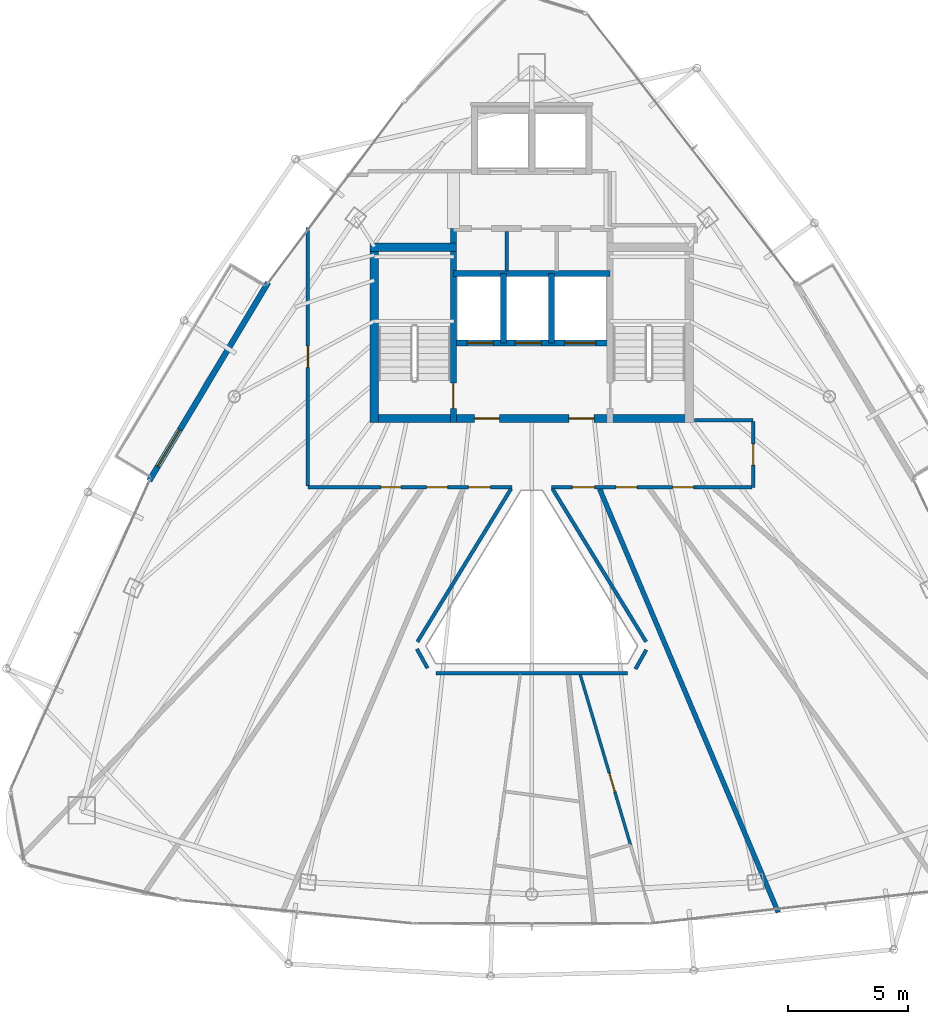
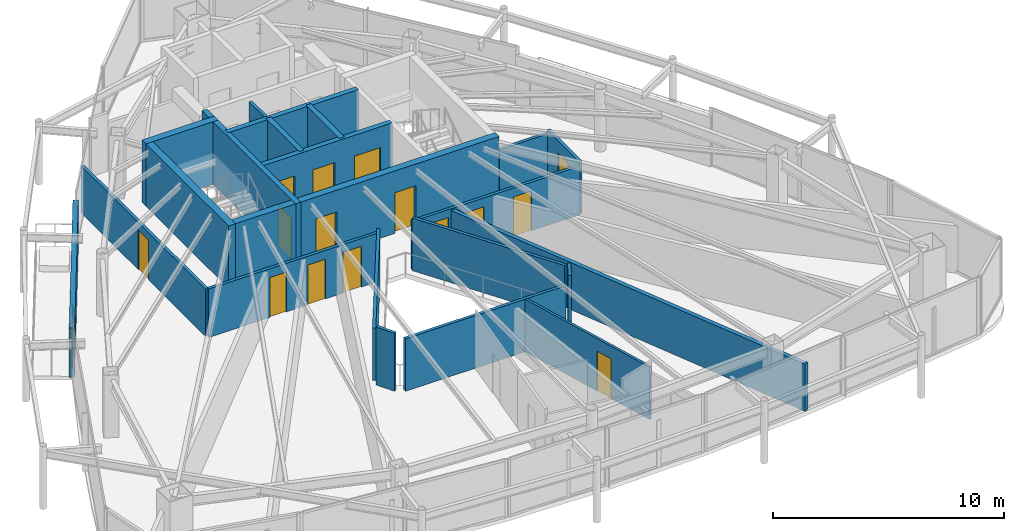
# One storey, part 25 of 28: 22 walls, 16 doors, 16 openings.
"""IFC4 building model written with IfcOpenShell, lengths in metres."""

import ifcopenshell
import ifcopenshell.guid

model = None  # the IFC model being written
_history = None  # IfcOwnerHistory: only IFC2X3 demands one
_inside = {}  # id of a spatial element -> (the spatial element, [elements in it])
_under = {}  # id of a project, library or spatial element -> (it, [spatial elements below it])
_declared = {}  # id of a project -> (the project, [libraries it declares])
_typed = {}  # id of a type object -> (the type object, [elements of that type])
_made_of = {}  # id of a material, layer set ... -> (it, [elements and type objects made of it])


def new_model(schema):
    """Start an empty IFC model of exactly this schema.

    Asked for "IFC4X3", IfcOpenShell would pick the latest addendum, in which some entities
    have other attributes; the version numbers below select the first issue.
    IFC2X3 requires an IfcOwnerHistory on every rooted entity: one is made here for all.
    """
    global model, _history
    if schema == "IFC4X3":
        model = ifcopenshell.file(schema_version=(4, 3, 0, 0))
    else:
        model = ifcopenshell.file(schema=schema)
    _inside.clear()
    _under.clear()
    _declared.clear()
    _typed.clear()
    _made_of.clear()
    _history = None
    if model.schema == "IFC2X3":
        org = make("IfcOrganization", Name="unknown")
        user = make(
            "IfcPersonAndOrganization",
            ThePerson=make("IfcPerson", FamilyName="unknown"),
            TheOrganization=org,
        )
        app = make(
            "IfcApplication",
            ApplicationDeveloper=org,
            Version="unknown",
            ApplicationFullName="unknown",
            ApplicationIdentifier="unknown",
        )
        _history = make(
            "IfcOwnerHistory",
            OwningUser=user,
            OwningApplication=app,
            ChangeAction="ADDED",
            CreationDate=0,
        )
    return model


def make(cls, **values):
    """One entity of the class cls with the attributes given. An attribute that is None is left unset."""
    return model.create_entity(
        cls, **{name: value for name, value in values.items() if value is not None}
    )


def rooted(cls, **values):
    """An entity with a GlobalId (a new one), such as an element, a storey or a relation."""
    return make(cls, GlobalId=ifcopenshell.guid.new(), OwnerHistory=_history, **values)


def si_unit(unit_type, name, prefix=None):
    """IfcSIUnit, for example si_unit("LENGTHUNIT", "METRE", prefix="MILLI")."""
    return make("IfcSIUnit", UnitType=unit_type, Prefix=prefix, Name=name)


def assignment(units):
    """IfcUnitAssignment: the units of a project."""
    return None if units is None else make("IfcUnitAssignment", Units=units)


def point(xyz):
    """IfcCartesianPoint."""
    return None if xyz is None else make("IfcCartesianPoint", Coordinates=xyz)


def direction(xyz):
    """IfcDirection."""
    return None if xyz is None else make("IfcDirection", DirectionRatios=xyz)


def frame(location, z_axis=None, x_axis=None):
    """IfcAxis2Placement3D, a coordinate frame: its origin and axes. An axis left out is left unset."""
    return make(
        "IfcAxis2Placement3D",
        Location=point(location),
        Axis=direction(z_axis),
        RefDirection=direction(x_axis),
    )


def frame_2d(location, x_axis=None):
    """IfcAxis2Placement2D, a coordinate frame in the plane: its origin and x axis."""
    return make(
        "IfcAxis2Placement2D", Location=point(location), RefDirection=direction(x_axis)
    )


def origin():
    """The frame at (0, 0, 0) with its axes left unset."""
    return frame((0.0, 0.0, 0.0))


def place(relative_to, where):
    """IfcLocalPlacement: puts the frame where relative to a parent placement (None: the world)."""
    return make(
        "IfcLocalPlacement", PlacementRelTo=relative_to, RelativePlacement=where
    )


def context(
    kind, dimensions, precision=None, world=None, true_north=None, identifier=None
):
    """IfcGeometricRepresentationContext, for example the 3D "Model" context."""
    return make(
        "IfcGeometricRepresentationContext",
        ContextIdentifier=identifier,
        ContextType=kind,
        CoordinateSpaceDimension=dimensions,
        Precision=precision,
        WorldCoordinateSystem=world,
        TrueNorth=true_north,
    )


def subcontext(parent, identifier, kind, view, scale=None):
    """IfcGeometricRepresentationSubContext, for example "Body" below "Model"."""
    return make(
        "IfcGeometricRepresentationSubContext",
        ContextIdentifier=identifier,
        ContextType=kind,
        ParentContext=parent,
        TargetScale=scale,
        TargetView=view,
    )


def project(units=None, contexts=None):
    """IfcProject with its units and contexts."""
    return rooted(
        "IfcProject",
        Name="project",
        RepresentationContexts=contexts,
        UnitsInContext=assignment(units),
    )


def spatial(cls, under=None, at=None, **own):
    """A site, building, storey or space (cls), placed at a placement, below another one or the project."""
    s = rooted(cls, ObjectPlacement=at, **own)
    if under is not None:
        _under.setdefault(under.id(), (under, []))[1].append(s)
    return s


def profile(cls, at=None, kind="AREA", **sizes):
    """A parametric profile (cls). Its sizes go by their IFC names, for example OverallWidth=200.0."""
    return make(cls, ProfileType=kind, Position=at, **sizes)


def rectangle(**sizes):
    """IfcRectangleProfileDef."""
    return profile("IfcRectangleProfileDef", **sizes)


def extrude(swept, where, along, depth):
    """IfcExtrudedAreaSolid: the profile swept, set in the frame where, extruded along a direction by depth."""
    return make(
        "IfcExtrudedAreaSolid",
        SweptArea=swept,
        Position=where,
        ExtrudedDirection=direction(along),
        Depth=depth,
    )


def shape(context_of_items, identifier, shape_type, items):
    """IfcShapeRepresentation: the items that make up one representation, for example the "Body"."""
    return make(
        "IfcShapeRepresentation",
        ContextOfItems=context_of_items,
        RepresentationIdentifier=identifier,
        RepresentationType=shape_type,
        Items=items,
    )


def material(Name=None, Category=None):
    """IfcMaterial."""
    return make("IfcMaterial", Name=Name, Category=Category)


def layer(
    of_material, thickness, ventilated=None, Name=None, Category=None, Priority=None
):
    """IfcMaterialLayer: one layer of a wall or slab, of a material (None: an air gap)."""
    return make(
        "IfcMaterialLayer",
        Material=of_material,
        LayerThickness=thickness,
        IsVentilated=ventilated,
        Name=Name,
        Category=Category,
        Priority=Priority,
    )


def layer_set(layers, Name=None):
    """IfcMaterialLayerSet."""
    return make("IfcMaterialLayerSet", MaterialLayers=layers, LayerSetName=Name)


def made_of(thing, what):
    """Note that an element or type object is made of a material, layer set ...; save() writes the relation."""
    if what is not None:
        _made_of.setdefault(what.id(), (what, []))[1].append(thing)
    return thing


def type_object(cls, material=None, **own):
    """A type object (cls), such as IfcWallType, which elements share."""
    return made_of(rooted(cls, **own), material)


def element(
    cls,
    number,
    at=None,
    inside=None,
    cuts=None,
    type_object=None,
    material=None,
    context=None,
    identifier="Body",
    shape_type=None,
    held_by="IfcProductDefinitionShape",
    body=None,
    shapes=None,
    **own,
):
    """One element of the class cls, such as IfcWall. Its Tag is "e" and its number.

    at: its placement. inside: the storey or other place that contains it. cuts: it is an
    opening in that element (IfcRelVoidsElement). A single representation is given by context,
    identifier, shape_type and body (its items); several are given by shapes. held_by: the class
    of the entity that holds the representations. save() writes the other relations.
    """
    e = rooted(cls, Tag="e%d" % number, ObjectPlacement=at, **own)
    if body is not None:
        shapes = [shape(context, identifier, shape_type, body)]
    if shapes is not None:
        e.Representation = make(held_by, Representations=shapes)
    if inside is not None:
        _inside.setdefault(inside.id(), (inside, []))[1].append(e)
    if cuts is not None:
        rooted(
            "IfcRelVoidsElement", RelatingBuildingElement=cuts, RelatedOpeningElement=e
        )
    if type_object is not None:
        _typed.setdefault(type_object.id(), (type_object, []))[1].append(e)
    return made_of(e, material)


def fill(opening, filler):
    """IfcRelFillsElement: the door or window that sits in an opening."""
    return rooted(
        "IfcRelFillsElement",
        RelatingOpeningElement=opening,
        RelatedBuildingElement=filler,
    )


def aggregate(whole, parts):
    """IfcRelAggregates: a whole, such as a stair, and the parts it consists of."""
    return rooted("IfcRelAggregates", RelatingObject=whole, RelatedObjects=parts)


def save(model, path):
    """Write the relations noted so far, then the file.

    IfcRelAggregates (storeys below a building ...), IfcRelContainedInSpatialStructure (elements
    in a storey), IfcRelDefinesByType, IfcRelAssociatesMaterial and IfcRelDeclares: one each for
    every whole, place, type object, material and project.
    """
    for whole, parts in _under.values():
        aggregate(whole, parts)
    for where, things in _inside.values():
        rooted(
            "IfcRelContainedInSpatialStructure",
            RelatedElements=things,
            RelatingStructure=where,
        )
    for kind, things in _typed.values():
        rooted("IfcRelDefinesByType", RelatedObjects=things, RelatingType=kind)
    for what, things in _made_of.values():
        rooted("IfcRelAssociatesMaterial", RelatedObjects=things, RelatingMaterial=what)
    for by, libraries in _declared.values():
        rooted("IfcRelDeclares", RelatingContext=by, RelatedDefinitions=libraries)
    model.write(path)


model = new_model("IFC4")

# Units and contexts
model_context = context("Model", 3, precision=1e-05, world=origin(), true_north=direction((0.0, 1.0)))
body_context = subcontext(model_context, "Body", "Model", "MODEL_VIEW")
ifc_project = project(units=[si_unit("LENGTHUNIT", "METRE"), si_unit("AREAUNIT", "SQUARE_METRE"), si_unit("VOLUMEUNIT", "CUBIC_METRE"), si_unit("PLANEANGLEUNIT", "RADIAN"), si_unit("MASSUNIT", "GRAM", prefix="KILO")], contexts=[model_context])

# Site, building, storey
site_placement = place(None, origin())
site = spatial("IfcSite", under=ifc_project, at=site_placement, CompositionType="ELEMENT")
building_placement = place(site_placement, origin())
building = spatial("IfcBuilding", under=site, at=building_placement, Name="Orvanel Arch Residences", CompositionType="ELEMENT")
storey_placement = place(building_placement, frame((0.0, 0.0, 263.449951171875)))
storey = spatial("IfcBuildingStorey", under=building, at=storey_placement, Name="L75", CompositionType="ELEMENT", Elevation=263.449951171875)

# Wall, opening, door
ifc_material_1 = material(Name="Precast concrete N50 (50 MPa)", Category="concrete")
ifc_layer_1 = layer(ifc_material_1, 0.239990234375)
ifc_layer_set_1 = layer_set([ifc_layer_1], Name="Precast concrete N50 (50 MPa)")
wall_type_1 = type_object("IfcWallType", Name="EW-BAL-240", PredefinedType="SOLIDWALL", material=ifc_layer_set_1)
wall_1_placement = place(storey_placement, frame((21.988037109375, 32.405029296875, 0.0), z_axis=(0.0, 0.0, 1.0), x_axis=(-0.514361929684, -0.857573206958, 0.0)))
wall_1 = element("IfcWall", 1, at=wall_1_placement, inside=storey, type_object=wall_type_1, Name="L75 Balcony Threshold Wall Face 1", PredefinedType="SOLIDWALL", context=body_context, shape_type="SweptSolid", body=[
    extrude(rectangle(XDim=9.65869140625, YDim=0.239990234375, at=frame_2d((4.829345703125, 0.0))), origin(), (0.0, 0.0, 1.0), 2.6240234375),
])
opening_1_placement = place(wall_1_placement, frame((7.162109375, 0.0, 0.0)))
opening_1 = element("IfcOpeningElement", 2, at=opening_1_placement, cuts=wall_1, Name="Opening DB-180", PredefinedType="OPENING", context=body_context, shape_type="SweptSolid", body=[
    extrude(rectangle(XDim=1.800048828125, YDim=2.199951171875, at=frame_2d((0.89990234375, 1.10009765625))), frame((0.0, 0.1298828125, 0.0), z_axis=(0.0, -1.0, 0.0), x_axis=(1.0, 0.0, 0.0)), (0.0, 0.0, 1.0), 0.260009765625),
])
ifc_material_2 = material(Name="Bronze-anodised aluminium AA6063-T6", Category="aluminium")
door_type_1 = type_object("IfcDoorType", Name="DR-BAL-1800", OperationType="NOTDEFINED", PredefinedType="DOOR", material=ifc_material_2)
door_1_placement = place(opening_1_placement, origin())
door_1 = element("IfcDoor", 3, at=door_1_placement, inside=storey, type_object=door_type_1, Name="DR-L75-BAL-F1 L75 Planted Balcony Access Door Face 1", OperationType="SINGLE_SWING_LEFT", OverallHeight=2.199951171875, OverallWidth=1.800048828125, PredefinedType="DOOR", context=body_context, shape_type="SweptSolid", body=[
    extrude(rectangle(XDim=1.800048828125, YDim=2.199951171875, at=frame_2d((0.89990234375, 1.10009765625))), frame((0.0, 0.02490234375, 0.0), z_axis=(0.0, -1.0, 0.0), x_axis=(1.0, 0.0, 0.0)), (0.0, 0.0, 1.0), 0.050048828125),
])
fill(opening_1, door_1)

ifc_material_3 = material(Name="Concrete N50 (50 MPa)", Category="concrete")
ifc_layer_2 = layer(ifc_material_3, 0.25)
ifc_layer_set_2 = layer_set([ifc_layer_2], Name="Concrete N50 (50 MPa)")
wall_type_2 = type_object("IfcWallType", Name="SW-CORE-250", PredefinedType="SHEAR", material=ifc_layer_set_2)
wall_2_placement = place(storey_placement, frame((29.72509765625, 26.550048828125, 0.0), z_axis=(0.0, 0.0, 1.0), x_axis=(0.0, 1.0, 0.0)))
wall_2 = element("IfcWall", 4, at=wall_2_placement, inside=storey, type_object=wall_type_2, Name="L75 West Inner Core Spine Shear Wall", PredefinedType="SHEAR", context=body_context, shape_type="SweptSolid", body=[
    extrude(rectangle(XDim=8.099853515625, YDim=0.25, at=frame_2d((4.0498046875, 0.0))), origin(), (0.0, 0.0, 1.0), 3.300048828125),
])
opening_2_placement = place(wall_2_placement, frame((0.60009765625, 0.0, 0.0)))
opening_2 = element("IfcOpeningElement", 5, at=opening_2_placement, cuts=wall_2, Name="Opening DF-120", PredefinedType="OPENING", context=body_context, shape_type="SweptSolid", body=[
    extrude(rectangle(XDim=1.050048828125, YDim=2.14990234375, at=frame_2d((0.52490234375, 1.074951171875))), frame((0.0, 0.135009765625, 0.0), z_axis=(0.0, -1.0, 0.0), x_axis=(1.0, 0.0, 0.0)), (0.0, 0.0, 1.0), 0.27001953125),
])
ifc_material_4 = material(Name="Galvanised steel fire-resisting door assembly", Category="steel")
door_type_2 = type_object("IfcDoorType", Name="DR-FD120-1050", OperationType="NOTDEFINED", PredefinedType="DOOR", material=ifc_material_4)
door_2_placement = place(opening_2_placement, origin())
door_2 = element("IfcDoor", 6, at=door_2_placement, inside=storey, type_object=door_type_2, Name="DR-L75-ST1 L75 Stair 1 Fire Door", OperationType="SINGLE_SWING_LEFT", OverallHeight=2.14990234375, OverallWidth=1.050048828125, PredefinedType="DOOR", context=body_context, shape_type="SweptSolid", body=[
    extrude(rectangle(XDim=1.050048828125, YDim=2.14990234375, at=frame_2d((0.52490234375, 1.074951171875))), frame((0.0, 0.02490234375, 0.0), z_axis=(0.0, -1.0, 0.0), x_axis=(1.0, 0.0, 0.0)), (0.0, 0.0, 1.0), 0.050048828125),
])
fill(opening_2, door_2)

# Wall, openings, doors
wall_3_placement = place(storey_placement, frame((36.27490234375, 29.875, 0.0), z_axis=(0.0, 0.0, 1.0), x_axis=(-1.0, 0.0, 0.0)))
wall_3 = element("IfcWall", 7, at=wall_3_placement, inside=storey, type_object=wall_type_2, Name="L75 Emergency Lift Front Core Shear Wall", PredefinedType="SHEAR", context=body_context, shape_type="SweptSolid", body=[
    extrude(rectangle(XDim=6.5498046875, YDim=0.25, at=frame_2d((3.27490234375, 0.0))), origin(), (0.0, 0.0, 1.0), 3.300048828125),
])
opening_3_placement = place(wall_3_placement, frame((4.875, 0.0, 0.0)))
opening_3 = element("IfcOpeningElement", 8, at=opening_3_placement, cuts=wall_3, Name="Opening LD-110", PredefinedType="OPENING", context=body_context, shape_type="SweptSolid", body=[
    extrude(rectangle(XDim=1.10009765625, YDim=2.199951171875, at=frame_2d((0.550048828125, 1.10009765625))), frame((0.0, 0.135009765625, 0.0), z_axis=(0.0, -1.0, 0.0), x_axis=(1.0, 0.0, 0.0)), (0.0, 0.0, 1.0), 0.27001953125),
])
opening_4_placement = place(wall_3_placement, frame((2.875, 0.0, 0.0)))
opening_4 = element("IfcOpeningElement", 9, at=opening_4_placement, cuts=wall_3, Name="Opening LD-110", PredefinedType="OPENING", context=body_context, shape_type="SweptSolid", body=[
    extrude(rectangle(XDim=1.10009765625, YDim=2.199951171875, at=frame_2d((0.550048828125, 1.10009765625))), frame((0.0, 0.135009765625, 0.0), z_axis=(0.0, -1.0, 0.0), x_axis=(1.0, 0.0, 0.0)), (0.0, 0.0, 1.0), 0.27001953125),
])
opening_5_placement = place(wall_3_placement, frame((0.60009765625, 0.0, 0.0)))
opening_5 = element("IfcOpeningElement", 10, at=opening_5_placement, cuts=wall_3, Name="Opening LD-130", PredefinedType="OPENING", context=body_context, shape_type="SweptSolid", body=[
    extrude(rectangle(XDim=1.300048828125, YDim=2.199951171875, at=frame_2d((0.64990234375, 1.10009765625))), frame((0.0, 0.135009765625, 0.0), z_axis=(0.0, -1.0, 0.0), x_axis=(1.0, 0.0, 0.0)), (0.0, 0.0, 1.0), 0.27001953125),
])
door_type_3 = type_object("IfcDoorType", Name="DR-LFT-1100", OperationType="NOTDEFINED", PredefinedType="DOOR", material=ifc_material_4)
door_3_placement = place(opening_3_placement, origin())
door_3 = element("IfcDoor", 11, at=door_3_placement, inside=storey, type_object=door_type_3, Name="LD-F1-L75 L75 Lift F1 Sliding Landing Door", OperationType="DOUBLE_DOOR_SLIDING", OverallHeight=2.199951171875, OverallWidth=1.10009765625, PredefinedType="DOOR", context=body_context, shape_type="SweptSolid", body=[
    extrude(rectangle(XDim=1.10009765625, YDim=2.199951171875, at=frame_2d((0.550048828125, 1.10009765625))), frame((0.0, 0.02490234375, 0.0), z_axis=(0.0, -1.0, 0.0), x_axis=(1.0, 0.0, 0.0)), (0.0, 0.0, 1.0), 0.050048828125),
])
fill(opening_3, door_3)
door_4_placement = place(opening_4_placement, origin())
door_4 = element("IfcDoor", 12, at=door_4_placement, inside=storey, type_object=door_type_3, Name="LD-F2-L75 L75 Lift F2 Sliding Landing Door", OperationType="DOUBLE_DOOR_SLIDING", OverallHeight=2.199951171875, OverallWidth=1.10009765625, PredefinedType="DOOR", context=body_context, shape_type="SweptSolid", body=[
    extrude(rectangle(XDim=1.10009765625, YDim=2.199951171875, at=frame_2d((0.550048828125, 1.10009765625))), frame((0.0, 0.02490234375, 0.0), z_axis=(0.0, -1.0, 0.0), x_axis=(1.0, 0.0, 0.0)), (0.0, 0.0, 1.0), 0.050048828125),
])
fill(opening_4, door_4)
door_type_4 = type_object("IfcDoorType", Name="DR-LFT-1300", OperationType="NOTDEFINED", PredefinedType="DOOR", material=ifc_material_4)
door_5_placement = place(opening_5_placement, origin())
door_5 = element("IfcDoor", 13, at=door_5_placement, inside=storey, type_object=door_type_4, Name="LD-G1-L75 L75 Lift G1 Sliding Landing Door", OperationType="DOUBLE_DOOR_SLIDING", OverallHeight=2.199951171875, OverallWidth=1.300048828125, PredefinedType="DOOR", context=body_context, shape_type="SweptSolid", body=[
    extrude(rectangle(XDim=1.300048828125, YDim=2.199951171875, at=frame_2d((0.64990234375, 1.10009765625))), frame((0.0, 0.02490234375, 0.0), z_axis=(0.0, -1.0, 0.0), x_axis=(1.0, 0.0, 0.0)), (0.0, 0.0, 1.0), 0.050048828125),
])
fill(opening_5, door_5)

# Walls
wall_4_placement = place(storey_placement, frame((29.72509765625, 32.77490234375, 0.0), z_axis=(0.0, 0.0, 1.0), x_axis=(1.0, 0.0, 0.0)))
element("IfcWall", 14, at=wall_4_placement, inside=storey, type_object=wall_type_2, Name="L75 Emergency Lift Back Core Shear Wall", PredefinedType="SHEAR", context=body_context, shape_type="SweptSolid", body=[
    extrude(rectangle(XDim=6.5498046875, YDim=0.25, at=frame_2d((3.27490234375, 0.0))), origin(), (0.0, 0.0, 1.0), 3.300048828125),
])
for number, where, z_axis, x_axis, name in (
    (15, (31.824951171875, 29.875, 0.0), (0.0, 0.0, 1.0), (0.0, 1.0, 0.0), "L75 Emergency Lift Inter-Shaft Wall F12"),
    (16, (33.824951171875, 29.875, 0.0), (0.0, 0.0, 1.0), (0.0, 1.0, 0.0), "L75 Emergency Lift Inter-Shaft Wall F2G"),
):
    element("IfcWall", number, at=place(storey_placement, frame(where, z_axis=z_axis, x_axis=x_axis)), inside=storey, type_object=wall_type_2, Name=name, PredefinedType="SHEAR", context=body_context, shape_type="SweptSolid", body=[
        extrude(rectangle(XDim=2.89990234375, YDim=0.25, at=frame_2d((1.449951171875, 0.0))), origin(), (0.0, 0.0, 1.0), 3.300048828125),
    ])

# Wall, openings, doors
ifc_layer_3 = layer(ifc_material_3, 0.35009765625)
ifc_layer_set_3 = layer_set([ifc_layer_3], Name="Concrete N50 (50 MPa)")
wall_type_3 = type_object("IfcWallType", Name="SW-CORE-350", PredefinedType="SHEAR", material=ifc_layer_set_3)
wall_5_placement = place(storey_placement, frame((26.25, 26.72509765625, 0.0), z_axis=(0.0, 0.0, 1.0), x_axis=(1.0, 0.0, 0.0)))
wall_5 = element("IfcWall", 17, at=wall_5_placement, inside=storey, type_object=wall_type_3, Name="L75 South Core Shear Wall", PredefinedType="SHEAR", context=body_context, shape_type="SweptSolid", body=[
    extrude(rectangle(XDim=13.5, YDim=0.35009765625, at=frame_2d((6.75, 0.0))), origin(), (0.0, 0.0, 1.0), 3.300048828125),
])
opening_6_placement = place(wall_5_placement, frame((4.35009765625, 0.0, 0.0)))
opening_6 = element("IfcOpeningElement", 18, at=opening_6_placement, cuts=wall_5, Name="Opening DF-060", PredefinedType="OPENING", context=body_context, shape_type="SweptSolid", body=[
    extrude(rectangle(XDim=1.050048828125, YDim=2.14990234375, at=frame_2d((0.52490234375, 1.074951171875))), frame((0.0, 0.18505859375, 0.0), z_axis=(0.0, -1.0, 0.0), x_axis=(1.0, 0.0, 0.0)), (0.0, 0.0, 1.0), 0.3701171875),
])
opening_7_placement = place(wall_5_placement, frame((8.300048828125, 0.0, 0.0)))
opening_7 = element("IfcOpeningElement", 19, at=opening_7_placement, cuts=wall_5, Name="Opening DF-060", PredefinedType="OPENING", context=body_context, shape_type="SweptSolid", body=[
    extrude(rectangle(XDim=1.050048828125, YDim=2.14990234375, at=frame_2d((0.52490234375, 1.074951171875))), frame((0.0, 0.18505859375, 0.0), z_axis=(0.0, -1.0, 0.0), x_axis=(1.0, 0.0, 0.0)), (0.0, 0.0, 1.0), 0.3701171875),
])
door_type_5 = type_object("IfcDoorType", Name="DR-FD60-1050", OperationType="NOTDEFINED", PredefinedType="DOOR", material=ifc_material_4)
door_6_placement = place(opening_6_placement, origin())
door_6 = element("IfcDoor", 20, at=door_6_placement, inside=storey, type_object=door_type_5, Name="DR-L75-FFL-W L75 West Smoke Lobby Door", OperationType="SINGLE_SWING_LEFT", OverallHeight=2.14990234375, OverallWidth=1.050048828125, PredefinedType="DOOR", context=body_context, shape_type="SweptSolid", body=[
    extrude(rectangle(XDim=1.050048828125, YDim=2.14990234375, at=frame_2d((0.52490234375, 1.074951171875))), frame((0.0, 0.02490234375, 0.0), z_axis=(0.0, -1.0, 0.0), x_axis=(1.0, 0.0, 0.0)), (0.0, 0.0, 1.0), 0.050048828125),
])
fill(opening_6, door_6)
door_7_placement = place(opening_7_placement, origin())
door_7 = element("IfcDoor", 21, at=door_7_placement, inside=storey, type_object=door_type_5, Name="DR-L75-FFL-E L75 East Smoke Lobby Door", OperationType="SINGLE_SWING_RIGHT", OverallHeight=2.14990234375, OverallWidth=1.050048828125, PredefinedType="DOOR", context=body_context, shape_type="SweptSolid", body=[
    extrude(rectangle(XDim=1.050048828125, YDim=2.14990234375, at=frame_2d((0.52490234375, 1.074951171875))), frame((0.0, 0.02490234375, 0.0), z_axis=(0.0, -1.0, 0.0), x_axis=(1.0, 0.0, 0.0)), (0.0, 0.0, 1.0), 0.050048828125),
])
fill(opening_7, door_7)

# Walls
wall_6_placement = place(storey_placement, frame((26.425048828125, 26.550048828125, 0.0), z_axis=(0.0, 0.0, 1.0), x_axis=(0.0, 1.0, 0.0)))
element("IfcWall", 22, at=wall_6_placement, inside=storey, type_object=wall_type_3, Name="L75 West Stair Shear Wall", PredefinedType="SHEAR", context=body_context, shape_type="SweptSolid", body=[
    extrude(rectangle(XDim=7.5, YDim=0.35009765625, at=frame_2d((3.75, 0.0))), origin(), (0.0, 0.0, 1.0), 3.300048828125),
])
wall_7_placement = place(storey_placement, frame((26.25, 33.875, 0.0), z_axis=(0.0, 0.0, 1.0), x_axis=(1.0, 0.0, 0.0)))
element("IfcWall", 23, at=wall_7_placement, inside=storey, type_object=wall_type_3, Name="L75 West Stair North Shear Wall", PredefinedType="SHEAR", context=body_context, shape_type="SweptSolid", body=[
    extrude(rectangle(XDim=3.60009765625, YDim=0.35009765625, at=frame_2d((1.800048828125, 0.0))), origin(), (0.0, 0.0, 1.0), 3.300048828125),
])

# Wall, openings, doors
ifc_material_5 = material(Name="Fire-rated plasterboard lined steel stud partition", Category="steel")
ifc_layer_4 = layer(ifc_material_5, 0.14990234375)
ifc_layer_set_4 = layer_set([ifc_layer_4], Name="Fire-rated plasterboard lined steel stud partition")
wall_type_4 = type_object("IfcWallType", Name="W-COR-150", PredefinedType="PARTITIONING", material=ifc_layer_set_4)
wall_8_placement = place(storey_placement, frame((32.16796875, 23.85009765625, 0.0), z_axis=(0.0, 0.0, 1.0), x_axis=(-1.0, 0.0, 0.0)))
wall_8 = element("IfcWall", 24, at=wall_8_placement, inside=storey, type_object=wall_type_4, Name="L75 Corridor Fire-Rated Partition", PredefinedType="PARTITIONING", context=body_context, shape_type="SweptSolid", body=[
    extrude(rectangle(XDim=8.51806640625, YDim=0.14990234375, at=frame_2d((4.259033203125, 0.0))), origin(), (0.0, 0.0, 1.0), 2.56494140625),
])
opening_8_placement = place(wall_8_placement, frame((0.89404296875, 0.0, 0.0)))
opening_8 = element("IfcOpeningElement", 25, at=opening_8_placement, cuts=wall_8, Name="Opening DA-092", PredefinedType="OPENING", context=body_context, shape_type="SweptSolid", body=[
    extrude(rectangle(XDim=0.919921875, YDim=2.14990234375, at=frame_2d((0.4599609375, 1.074951171875))), frame((0.0, 0.0849609375, 0.0), z_axis=(0.0, -1.0, 0.0), x_axis=(1.0, 0.0, 0.0)), (0.0, 0.0, 1.0), 0.169921875),
])
opening_9_placement = place(wall_8_placement, frame((2.68310546875, 0.0, 0.0)))
opening_9 = element("IfcOpeningElement", 26, at=opening_9_placement, cuts=wall_8, Name="Opening DI-088", PredefinedType="OPENING", context=body_context, shape_type="SweptSolid", body=[
    extrude(rectangle(XDim=0.8798828125, YDim=2.10009765625, at=frame_2d((0.43994140625, 1.050048828125))), frame((0.0, 0.0849609375, 0.0), z_axis=(0.0, -1.0, 0.0), x_axis=(1.0, 0.0, 0.0)), (0.0, 0.0, 1.0), 0.169921875),
])
opening_10_placement = place(wall_8_placement, frame((4.637939453125, 0.0, 0.0)))
opening_10 = element("IfcOpeningElement", 27, at=opening_10_placement, cuts=wall_8, Name="Opening DW-082", PredefinedType="OPENING", context=body_context, shape_type="SweptSolid", body=[
    extrude(rectangle(XDim=0.820068359375, YDim=2.10009765625, at=frame_2d((0.41015625, 1.050048828125))), frame((0.0, 0.0849609375, 0.0), z_axis=(0.0, -1.0, 0.0), x_axis=(1.0, 0.0, 0.0)), (0.0, 0.0, 1.0), 0.169921875),
])
ifc_material_6 = material(Name="Solid-core European oak veneer fire door leaf", Category="wood")
door_type_6 = type_object("IfcDoorType", Name="DR-APT-920", OperationType="NOTDEFINED", PredefinedType="DOOR", material=ifc_material_6)
door_8_placement = place(opening_8_placement, origin())
door_8 = element("IfcDoor", 28, at=door_8_placement, inside=storey, type_object=door_type_6, Name="DR-L75-A-ENT L75 Studio A Entrance Door", OperationType="SINGLE_SWING_RIGHT", OverallHeight=2.14990234375, OverallWidth=0.919921875, PredefinedType="DOOR", context=body_context, shape_type="SweptSolid", body=[
    extrude(rectangle(XDim=0.919921875, YDim=2.14990234375, at=frame_2d((0.4599609375, 1.074951171875))), frame((0.0, 0.02490234375, 0.0), z_axis=(0.0, -1.0, 0.0), x_axis=(1.0, 0.0, 0.0)), (0.0, 0.0, 1.0), 0.050048828125),
])
fill(opening_8, door_8)
door_type_7 = type_object("IfcDoorType", Name="DR-INT-880", OperationType="NOTDEFINED", PredefinedType="DOOR", material=ifc_material_6)
door_9_placement = place(opening_9_placement, origin())
door_9 = element("IfcDoor", 29, at=door_9_placement, inside=storey, type_object=door_type_7, Name="DR-L75-SHRD-FB5 L75 Co-Working Study Office E Door", OperationType="SINGLE_SWING_LEFT", OverallHeight=2.10009765625, OverallWidth=0.8798828125, PredefinedType="DOOR", context=body_context, shape_type="SweptSolid", body=[
    extrude(rectangle(XDim=0.8798828125, YDim=2.10009765625, at=frame_2d((0.43994140625, 1.050048828125))), frame((0.0, 0.02490234375, 0.0), z_axis=(0.0, -1.0, 0.0), x_axis=(1.0, 0.0, 0.0)), (0.0, 0.0, 1.0), 0.050048828125),
])
fill(opening_9, door_9)
door_type_8 = type_object("IfcDoorType", Name="DR-WET-820", OperationType="NOTDEFINED", PredefinedType="DOOR", material=ifc_material_6)
door_10_placement = place(opening_10_placement, origin())
door_10 = element("IfcDoor", 30, at=door_10_placement, inside=storey, type_object=door_type_8, Name="DR-L75-SHRD-FB6 L75 Co-Working Study Office F Door", OperationType="SINGLE_SWING_LEFT", OverallHeight=2.10009765625, OverallWidth=0.820068359375, PredefinedType="DOOR", context=body_context, shape_type="SweptSolid", body=[
    extrude(rectangle(XDim=0.820068359375, YDim=2.10009765625, at=frame_2d((0.41015625, 1.050048828125))), frame((0.0, 0.02490234375, 0.0), z_axis=(0.0, -1.0, 0.0), x_axis=(1.0, 0.0, 0.0)), (0.0, 0.0, 1.0), 0.050048828125),
])
fill(opening_10, door_10)

# Wall, opening, door
wall_9_placement = place(storey_placement, frame((23.64990234375, 23.909912109375, 0.0), z_axis=(0.0, 0.0, 1.0), x_axis=(0.0, 1.0, 0.0)))
wall_9 = element("IfcWall", 31, at=wall_9_placement, inside=storey, type_object=wall_type_4, Name="L75 Corridor Fire-Rated Partition", PredefinedType="PARTITIONING", context=body_context, shape_type="SweptSolid", body=[
    extrude(rectangle(XDim=10.7841796875, YDim=0.14990234375, at=frame_2d((5.39208984375, 0.0))), origin(), (0.0, 0.0, 1.0), 2.491943359375),
])
opening_11_placement = place(wall_9_placement, frame((4.951904296875, 0.0, 0.0)))
opening_11 = element("IfcOpeningElement", 32, at=opening_11_placement, cuts=wall_9, Name="Opening DI-088", PredefinedType="OPENING", context=body_context, shape_type="SweptSolid", body=[
    extrude(rectangle(XDim=0.8798828125, YDim=2.10009765625, at=frame_2d((0.43994140625, 1.050048828125))), frame((0.0, 0.0849609375, 0.0), z_axis=(0.0, -1.0, 0.0), x_axis=(1.0, 0.0, 0.0)), (0.0, 0.0, 1.0), 0.169921875),
])
door_11_placement = place(opening_11_placement, origin())
door_11 = element("IfcDoor", 33, at=door_11_placement, inside=storey, type_object=door_type_7, Name="DR-L75-RET74-2 L75 Boutique Craft Showroom 2 Door", OperationType="SINGLE_SWING_LEFT", OverallHeight=2.10009765625, OverallWidth=0.8798828125, PredefinedType="DOOR", context=body_context, shape_type="SweptSolid", body=[
    extrude(rectangle(XDim=0.8798828125, YDim=2.10009765625, at=frame_2d((0.43994140625, 1.050048828125))), frame((0.0, 0.02490234375, 0.0), z_axis=(0.0, -1.0, 0.0), x_axis=(1.0, 0.0, 0.0)), (0.0, 0.0, 1.0), 0.050048828125),
])
fill(opening_11, door_11)

# Wall
wall_10_placement = place(storey_placement, frame((39.7900390625, 26.64990234375, 0.0), z_axis=(0.0, 0.0, 1.0), x_axis=(1.0, 0.0, 0.0)))
element("IfcWall", 34, at=wall_10_placement, inside=storey, type_object=wall_type_4, Name="L75 Corridor Fire-Rated Partition", PredefinedType="PARTITIONING", context=body_context, shape_type="SweptSolid", body=[
    extrude(rectangle(XDim=2.4599609375, YDim=0.14990234375, at=frame_2d((1.22998046875, 0.0))), origin(), (0.0, 0.0, 1.0), 2.56494140625),
])

# Wall, opening, door
wall_11_placement = place(storey_placement, frame((42.25, 26.590087890625, 0.0), z_axis=(0.0, 0.0, 1.0), x_axis=(0.0, -1.0, 0.0)))
wall_11 = element("IfcWall", 35, at=wall_11_placement, inside=storey, type_object=wall_type_4, Name="L75 Corridor Fire-Rated Partition", PredefinedType="PARTITIONING", context=body_context, shape_type="SweptSolid", body=[
    extrude(rectangle(XDim=2.739990234375, YDim=0.14990234375, at=frame_2d((1.3701171875, 0.0))), origin(), (0.0, 0.0, 1.0), 2.77294921875),
])
opening_12_placement = place(wall_11_placement, frame((0.929931640625, 0.0, 0.0)))
opening_12 = element("IfcOpeningElement", 36, at=opening_12_placement, cuts=wall_11, Name="Opening DI-088", PredefinedType="OPENING", context=body_context, shape_type="SweptSolid", body=[
    extrude(rectangle(XDim=0.8798828125, YDim=2.10009765625, at=frame_2d((0.43994140625, 1.050048828125))), frame((0.0, 0.0849609375, 0.0), z_axis=(0.0, -1.0, 0.0), x_axis=(1.0, 0.0, 0.0)), (0.0, 0.0, 1.0), 0.169921875),
])
door_12_placement = place(opening_12_placement, origin())
door_12 = element("IfcDoor", 37, at=door_12_placement, inside=storey, type_object=door_type_7, Name="DR-L75-RET74-1 L75 Boutique Craft Showroom 1 Door", OperationType="SINGLE_SWING_LEFT", OverallHeight=2.10009765625, OverallWidth=0.8798828125, PredefinedType="DOOR", context=body_context, shape_type="SweptSolid", body=[
    extrude(rectangle(XDim=0.8798828125, YDim=2.10009765625, at=frame_2d((0.43994140625, 1.050048828125))), frame((0.0, 0.02490234375, 0.0), z_axis=(0.0, -1.0, 0.0), x_axis=(1.0, 0.0, 0.0)), (0.0, 0.0, 1.0), 0.050048828125),
])
fill(opening_12, door_12)

# Wall, openings, doors
wall_12_placement = place(storey_placement, frame((42.18994140625, 23.85009765625, 0.0), z_axis=(0.0, 0.0, 1.0), x_axis=(-1.0, 0.0, 0.0)))
wall_12 = element("IfcWall", 38, at=wall_12_placement, inside=storey, type_object=wall_type_4, Name="L75 Corridor Fire-Rated Partition", PredefinedType="PARTITIONING", context=body_context, shape_type="SweptSolid", body=[
    extrude(rectangle(XDim=8.35791015625, YDim=0.14990234375, at=frame_2d((4.178955078125, 0.0))), origin(), (0.0, 0.0, 1.0), 2.56494140625),
])
opening_13_placement = place(wall_12_placement, frame((2.428955078125, 0.0, 0.0)))
opening_13 = element("IfcOpeningElement", 39, at=opening_13_placement, cuts=wall_12, Name="Opening DI-088", PredefinedType="OPENING", context=body_context, shape_type="SweptSolid", body=[
    extrude(rectangle(XDim=0.8798828125, YDim=2.10009765625, at=frame_2d((0.43994140625, 1.050048828125))), frame((0.0, 0.0849609375, 0.0), z_axis=(0.0, -1.0, 0.0), x_axis=(1.0, 0.0, 0.0)), (0.0, 0.0, 1.0), 0.169921875),
])
opening_14_placement = place(wall_12_placement, frame((4.7880859375, 0.0, 0.0)))
opening_14 = element("IfcOpeningElement", 40, at=opening_14_placement, cuts=wall_12, Name="Opening DI-088", PredefinedType="OPENING", context=body_context, shape_type="SweptSolid", body=[
    extrude(rectangle(XDim=0.8798828125, YDim=2.10009765625, at=frame_2d((0.43994140625, 1.050048828125))), frame((0.0, 0.0849609375, 0.0), z_axis=(0.0, -1.0, 0.0), x_axis=(1.0, 0.0, 0.0)), (0.0, 0.0, 1.0), 0.169921875),
])
opening_15_placement = place(wall_12_placement, frame((6.569091796875, 0.0, 0.0)))
opening_15 = element("IfcOpeningElement", 41, at=opening_15_placement, cuts=wall_12, Name="Opening DA-092", PredefinedType="OPENING", context=body_context, shape_type="SweptSolid", body=[
    extrude(rectangle(XDim=0.919921875, YDim=2.14990234375, at=frame_2d((0.4599609375, 1.074951171875))), frame((0.0, 0.0849609375, 0.0), z_axis=(0.0, -1.0, 0.0), x_axis=(1.0, 0.0, 0.0)), (0.0, 0.0, 1.0), 0.169921875),
])
door_13_placement = place(opening_15_placement, origin())
door_13 = element("IfcDoor", 42, at=door_13_placement, inside=storey, type_object=door_type_6, Name="DR-L75-D-ENT L75 Studio D Entrance Door", OperationType="SINGLE_SWING_LEFT", OverallHeight=2.14990234375, OverallWidth=0.919921875, PredefinedType="DOOR", context=body_context, shape_type="SweptSolid", body=[
    extrude(rectangle(XDim=0.919921875, YDim=2.14990234375, at=frame_2d((0.4599609375, 1.074951171875))), frame((0.0, 0.02490234375, 0.0), z_axis=(0.0, -1.0, 0.0), x_axis=(1.0, 0.0, 0.0)), (0.0, 0.0, 1.0), 0.050048828125),
])
fill(opening_15, door_13)
door_14_placement = place(opening_13_placement, origin())
door_14 = element("IfcDoor", 43, at=door_14_placement, inside=storey, type_object=door_type_7, Name="DR-L75-SHRD-FB2 L75 Co-Working Study Office B Door", OperationType="SINGLE_SWING_LEFT", OverallHeight=2.10009765625, OverallWidth=0.8798828125, PredefinedType="DOOR", context=body_context, shape_type="SweptSolid", body=[
    extrude(rectangle(XDim=0.8798828125, YDim=2.10009765625, at=frame_2d((0.43994140625, 1.050048828125))), frame((0.0, 0.02490234375, 0.0), z_axis=(0.0, -1.0, 0.0), x_axis=(1.0, 0.0, 0.0)), (0.0, 0.0, 1.0), 0.050048828125),
])
fill(opening_13, door_14)
door_15_placement = place(opening_14_placement, origin())
door_15 = element("IfcDoor", 44, at=door_15_placement, inside=storey, type_object=door_type_7, Name="DR-L75-SHRD-FB3 L75 Co-Working Study Office C Door", OperationType="SINGLE_SWING_LEFT", OverallHeight=2.10009765625, OverallWidth=0.8798828125, PredefinedType="DOOR", context=body_context, shape_type="SweptSolid", body=[
    extrude(rectangle(XDim=0.8798828125, YDim=2.10009765625, at=frame_2d((0.43994140625, 1.050048828125))), frame((0.0, 0.02490234375, 0.0), z_axis=(0.0, -1.0, 0.0), x_axis=(1.0, 0.0, 0.0)), (0.0, 0.0, 1.0), 0.050048828125),
])
fill(opening_14, door_15)

# Walls
wall_13_placement = place(storey_placement, frame((33.863037109375, 23.7900390625, 0.0), z_axis=(0.0, 0.0, 1.0), x_axis=(0.521913594497, -0.852998358661, 0.0)))
element("IfcWall", 45, at=wall_13_placement, inside=storey, type_object=wall_type_4, Name="L75 Atrium Overlook Glazed Partition", PredefinedType="PARTITIONING", context=body_context, shape_type="SweptSolid", body=[
    extrude(rectangle(XDim=7.4970703125, YDim=0.14990234375, at=frame_2d((3.74853515625, 0.0))), origin(), (0.0, 0.0, 1.0), 2.77294921875),
])
wall_14_placement = place(storey_placement, frame((37.781982421875, 17.05908203125, 0.0), z_axis=(0.0, 0.0, 1.0), x_axis=(-0.489033415255, -0.872265050752, 0.0)))
element("IfcWall", 46, at=wall_14_placement, inside=storey, type_object=wall_type_4, Name="L75 Atrium Overlook Glazed Partition", PredefinedType="PARTITIONING", context=body_context, shape_type="SweptSolid", body=[
    extrude(rectangle(XDim=0.916015625, YDim=0.14990234375, at=frame_2d((0.4580078125, 0.0))), origin(), (0.0, 0.0, 1.0), 3.06005859375),
])
wall_15_placement = place(storey_placement, frame((37.006103515625, 16.087890625, 0.0), z_axis=(0.0, 0.0, 1.0), x_axis=(-1.0, 0.0, 0.0)))
element("IfcWall", 47, at=wall_15_placement, inside=storey, type_object=wall_type_4, Name="L75 Atrium Overlook Glazed Partition", PredefinedType="PARTITIONING", context=body_context, shape_type="SweptSolid", body=[
    extrude(rectangle(XDim=8.01220703125, YDim=0.14990234375, at=frame_2d((4.006103515625, 0.0))), origin(), (0.0, 0.0, 1.0), 2.77294921875),
])
wall_16_placement = place(storey_placement, frame((28.64599609375, 16.2919921875, 0.0), z_axis=(0.0, 0.0, 1.0), x_axis=(-0.482133469033, 0.876097778811, 0.0)))
element("IfcWall", 48, at=wall_16_placement, inside=storey, type_object=wall_type_4, Name="L75 Atrium Overlook Glazed Partition", PredefinedType="PARTITIONING", context=body_context, shape_type="SweptSolid", body=[
    extrude(rectangle(XDim=0.91650390625, YDim=0.14990234375, at=frame_2d((0.458251953125, 0.0))), origin(), (0.0, 0.0, 1.0), 3.06005859375),
])
wall_17_placement = place(storey_placement, frame((28.22412109375, 17.39501953125, 0.0), z_axis=(0.0, 0.0, 1.0), x_axis=(0.521913594497, 0.852998358661, 0.0)))
element("IfcWall", 49, at=wall_17_placement, inside=storey, type_object=wall_type_4, Name="L75 Atrium Overlook Glazed Partition", PredefinedType="PARTITIONING", context=body_context, shape_type="SweptSolid", body=[
    extrude(rectangle(XDim=7.4970703125, YDim=0.14990234375, at=frame_2d((3.74853515625, 0.0))), origin(), (0.0, 0.0, 1.0), 2.77294921875),
])
ifc_layer_5 = layer(ifc_material_5, 0.199951171875)
ifc_layer_set_5 = layer_set([ifc_layer_5], Name="Fire-rated plasterboard lined steel stud partition")
wall_type_5 = type_object("IfcWallType", Name="W-DEM-200", PredefinedType="PARTITIONING", material=ifc_layer_set_5)
wall_18_placement = place(storey_placement, frame((43.2958984375, 6.090087890625, 0.0), z_axis=(0.0, 0.0, 1.0), x_axis=(-0.388640997534, 0.921389263578, 0.0)))
element("IfcWall", 50, at=wall_18_placement, inside=storey, type_object=wall_type_5, Name="L75 Inter-Tenancy Acoustic Demising Wall", PredefinedType="PARTITIONING", context=body_context, shape_type="SweptSolid", body=[
    extrude(rectangle(XDim=19.2099609375, YDim=0.199951171875, at=frame_2d((9.60498046875, 0.0))), origin(), (0.0, 0.0, 1.0), 2.491943359375),
])
ifc_layer_6 = layer(ifc_material_5, 0.14990234375)
ifc_layer_set_6 = layer_set([ifc_layer_6], Name="Fire-rated plasterboard lined steel stud partition")
wall_type_6 = type_object("IfcWallType", Name="W-ST-150", PredefinedType="PARTITIONING", material=ifc_layer_set_6)
wall_19_placement = place(storey_placement, frame((31.949951171875, 32.885009765625, 0.0), z_axis=(0.0, 0.0, 1.0), x_axis=(0.0, 1.0, 0.0)))
element("IfcWall", 51, at=wall_19_placement, inside=storey, type_object=wall_type_6, Name="L75 Core Service Partition 1", PredefinedType="PARTITIONING", context=body_context, shape_type="SweptSolid", body=[
    extrude(rectangle(XDim=1.655029296875, YDim=0.14990234375, at=frame_2d((0.82763671875, 0.0))), origin(), (0.0, 0.0, 1.0), 3.06005859375),
])

# Wall, opening, door
ifc_material_7 = material(Name="Acoustic plasterboard lined twin-stud partition", Category="gypsum")
ifc_layer_7 = layer(ifc_material_7, 0.1201171875)
ifc_layer_set_7 = layer_set([ifc_layer_7], Name="Acoustic plasterboard lined twin-stud partition")
wall_type_7 = type_object("IfcWallType", Name="W-WET-120", PredefinedType="PARTITIONING", material=ifc_layer_set_7)
wall_20_placement = place(storey_placement, frame((37.1240234375, 8.910888671875, 0.0), z_axis=(0.0, 0.0, 1.0), x_axis=(-0.283131577199, 0.959081075818, 0.0)))
wall_20 = element("IfcWall", 52, at=wall_20_placement, inside=storey, type_object=wall_type_7, Name="L75 Studio D Bathroom Partition", PredefinedType="PARTITIONING", context=body_context, shape_type="SweptSolid", body=[
    extrude(rectangle(XDim=7.4208984375, YDim=0.1201171875, at=frame_2d((3.71044921875, 0.0))), origin(), (0.0, 0.0, 1.0), 2.77294921875),
])
opening_16_placement = place(wall_20_placement, frame((2.306884765625, 0.0, 0.0)))
opening_16 = element("IfcOpeningElement", 53, at=opening_16_placement, cuts=wall_20, Name="Opening DW-082", PredefinedType="OPENING", context=body_context, shape_type="SweptSolid", body=[
    extrude(rectangle(XDim=0.820068359375, YDim=2.10009765625, at=frame_2d((0.41015625, 1.050048828125))), frame((0.0, 0.070068359375, 0.0), z_axis=(0.0, -1.0, 0.0), x_axis=(1.0, 0.0, 0.0)), (0.0, 0.0, 1.0), 0.14013671875),
])
door_16_placement = place(opening_16_placement, origin())
door_16 = element("IfcDoor", 54, at=door_16_placement, inside=storey, type_object=door_type_8, Name="DR-L75-D-BATH L75 Studio D Bathroom Door", OperationType="SINGLE_SWING_RIGHT", OverallHeight=2.10009765625, OverallWidth=0.820068359375, PredefinedType="DOOR", context=body_context, shape_type="SweptSolid", body=[
    extrude(rectangle(XDim=0.820068359375, YDim=2.10009765625, at=frame_2d((0.41015625, 1.050048828125))), frame((0.0, 0.02490234375, 0.0), z_axis=(0.0, -1.0, 0.0), x_axis=(1.0, 0.0, 0.0)), (0.0, 0.0, 1.0), 0.050048828125),
])
fill(opening_16, door_16)

save(model, "model.ifc")
